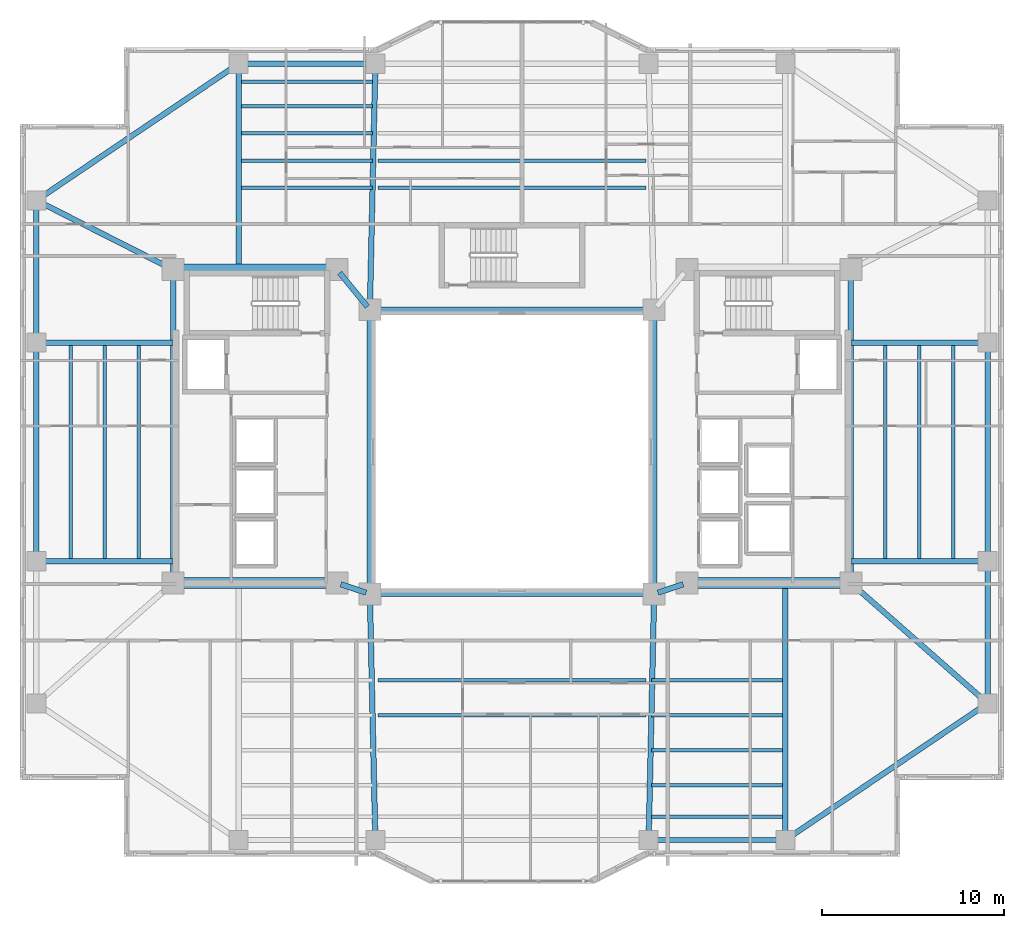
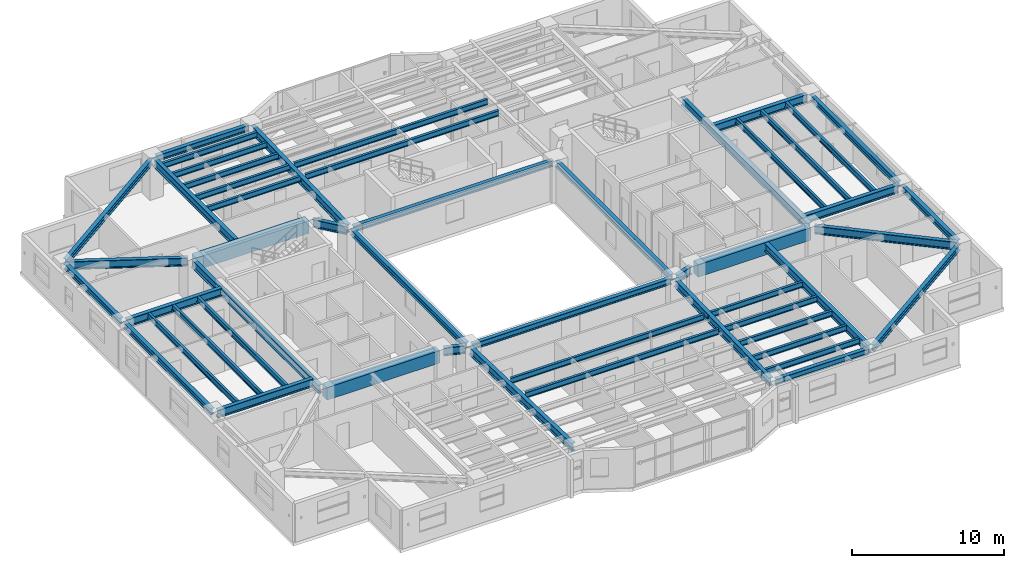
# One storey, part 3 of 18: 51 beams.
"""IFC4 building model written with IfcOpenShell, lengths in metres."""

from ifc_helpers import new_model, si_unit, direction, frame, origin, origin_2d, place, context, subcontext, project, spatial, rectangle, i_section, extrude, material, material_profile, profile_set, type_object, element, save


model = new_model("IFC4")

# Units and contexts
model_context = context("Model", 3, precision=1e-05, world=origin(), true_north=direction((0.0, 1.0)))
body_context = subcontext(model_context, "Body", "Model", "MODEL_VIEW")
ifc_project = project(units=[si_unit("LENGTHUNIT", "METRE"), si_unit("AREAUNIT", "SQUARE_METRE"), si_unit("VOLUMEUNIT", "CUBIC_METRE"), si_unit("PLANEANGLEUNIT", "RADIAN"), si_unit("MASSUNIT", "GRAM", prefix="KILO")], contexts=[model_context])

# Site, building, storey
site_placement = place(None, origin())
site = spatial("IfcSite", under=ifc_project, at=site_placement, CompositionType="ELEMENT")
building_placement = place(site_placement, origin())
building = spatial("IfcBuilding", under=site, at=building_placement, Name="Tarnavaz Court Tower", CompositionType="ELEMENT")
storey_placement = place(building_placement, frame((0.0, 0.0, 91.699951171875)))
storey = spatial("IfcBuildingStorey", under=building, at=storey_placement, Name="L24", CompositionType="ELEMENT", Elevation=91.699951171875)

# Beams
ifc_material_1 = material(Name="Concrete C60/75", Category="concrete")
ifc_material_profile_1 = material_profile(ifc_material_1, rectangle(XDim=0.60009765625, YDim=1.0, at=origin_2d()), Name="RC 600X1000")
ifc_profile_set_1 = profile_set([ifc_material_profile_1], Name="Concrete C60/75")
beam_type_1 = type_object("IfcBeamType", Name="BM-CB1000", PredefinedType="LINTEL", material=ifc_profile_set_1)
for number, where, z_axis, x_axis, name in (
    (1, (-18.3798828125, -7.199951171875, 2.60009765625), (1.0, 0.0, 0.0), (0.0, 1.0, 0.0), "L24 Beam IN-CW-SO-CW-SI"),
    (2, (-18.3798828125, 10.0, 2.60009765625), (1.0, 0.0, 0.0), (0.0, 1.0, 0.0), "L24 Beam IN-CW-NO-CW-NI"),
    (3, (18.3798828125, -7.199951171875, 2.60009765625), (-1.0, 0.0, 0.0), (0.0, -1.0, 0.0), "L24 Beam IN-CE-SO-CE-SI"),
):
    element("IfcBeam", number, at=place(storey_placement, frame(where, z_axis=z_axis, x_axis=x_axis)), inside=storey, type_object=beam_type_1, Name=name, PredefinedType="LINTEL", context=body_context, shape_type="SweptSolid", body=[
        extrude(rectangle(XDim=0.60009765625, YDim=1.0, at=origin_2d()), origin(), (0.0, 0.0, 1.0), 8.559814453125),
    ])
ifc_material_2 = material(Name="Steel S355", Category="steel")
ifc_material_profile_2 = material_profile(ifc_material_2, i_section(OverallWidth=0.300048828125, OverallDepth=0.64990234375, WebThickness=0.01611328125, FlangeThickness=0.031005859375, FilletRadius=0.027099609375, at=origin_2d()), Name="HEB 650")
ifc_profile_set_2 = profile_set([ifc_material_profile_2], Name="Steel S355")
beam_type_2 = type_object("IfcBeamType", Name="BM-G-HEB650", PredefinedType="USERDEFINED", material=ifc_profile_set_2)
for number, where, z_axis, x_axis, name in (
    (4, (-9.391357421875, -7.26953125, 2.775146484375), (0.948666544706, -0.316278021615, 0.0), (0.316278021615, 0.948666544706, 0.0), "L24 Beam IN-CW-SI-IW-SW"),
    (5, (9.391357421875, -7.26953125, 2.775146484375), (-0.948666544706, -0.316278021615, 0.0), (0.316278021615, -0.948666544706, 0.0), "L24 Beam IN-CE-SI-IW-SE"),
):
    element("IfcBeam", number, at=place(storey_placement, frame(where, z_axis=z_axis, x_axis=x_axis)), inside=storey, type_object=beam_type_2, Name=name, ObjectType="GIRDER", PredefinedType="USERDEFINED", context=body_context, shape_type="SweptSolid", body=[
        extrude(i_section(OverallWidth=0.300048828125, OverallDepth=0.64990234375, WebThickness=0.01611328125, FlangeThickness=0.031005859375, FilletRadius=0.027099609375, at=origin_2d()), origin(), (0.0, 0.0, 1.0), 1.457275390625),
    ])
beam_1_placement = place(storey_placement, frame((-9.460693359375, 9.82958984375, 2.775146484375), z_axis=(0.633282058357, -0.773921077735, 0.0), x_axis=(0.773921077735, 0.633282058357, 0.0)))
element("IfcBeam", 6, at=beam_1_placement, inside=storey, type_object=beam_type_2, Name="L24 Beam IN-CW-NI-IW-NW", ObjectType="GIRDER", PredefinedType="USERDEFINED", context=body_context, shape_type="SweptSolid", body=[
    extrude(i_section(OverallWidth=0.300048828125, OverallDepth=0.64990234375, WebThickness=0.01611328125, FlangeThickness=0.031005859375, FilletRadius=0.027099609375, at=origin_2d()), origin(), (0.0, 0.0, 1.0), 2.402587890625),
])
for number, where, z_axis, x_axis, name in (
    (7, (-18.60009765625, -6.97998046875, 2.775146484375), (0.0, 1.0, 0.0), (-1.0, 0.0, 0.0), "L24 Beam IN-CW-SO-CW-NO"),
    (8, (18.60009765625, -6.97998046875, 2.775146484375), (0.0, 1.0, 0.0), (-1.0, 0.0, 0.0), "L24 Beam IN-CE-SO-CE-NO"),
):
    element("IfcBeam", number, at=place(storey_placement, frame(where, z_axis=z_axis, x_axis=x_axis)), inside=storey, type_object=beam_type_2, Name=name, ObjectType="GIRDER", PredefinedType="USERDEFINED", context=body_context, shape_type="SweptSolid", body=[
        extrude(i_section(OverallWidth=0.300048828125, OverallDepth=0.64990234375, WebThickness=0.01611328125, FlangeThickness=0.031005859375, FilletRadius=0.027099609375, at=origin_2d()), origin(), (0.0, 0.0, 1.0), 16.760009765625),
    ])
beam_2_placement = place(storey_placement, frame((-15.0, 10.0400390625, 2.775146484375), z_axis=(0.0, 1.0, 0.0), x_axis=(-1.0, 0.0, 0.0)))
element("IfcBeam", 9, at=beam_2_placement, inside=storey, type_object=beam_type_2, Name="L24 Beam RG-01", ObjectType="GIRDER", PredefinedType="USERDEFINED", context=body_context, shape_type="SweptSolid", body=[
    extrude(i_section(OverallWidth=0.300048828125, OverallDepth=0.64990234375, WebThickness=0.01611328125, FlangeThickness=0.031005859375, FilletRadius=0.027099609375, at=origin_2d()), origin(), (0.0, 0.0, 1.0), 11.0400390625),
])
for number, where, z_axis, x_axis, name in (
    (10, (-7.795166015625, 8.02001953125, 2.775146484375), (0.022221303469, 0.99975307635, 0.0), (-0.99975307635, 0.022221303469, 0.0), "L24 Beam RG-02"),
    (11, (-7.795166015625, -8.02001953125, 2.775146484375), (0.022221303469, -0.99975307635, 0.0), (0.99975307635, 0.022221303469, 0.0), "L24 Beam RG-06"),
    (12, (7.795166015625, -8.02001953125, 2.775146484375), (-0.022221303469, -0.99975307635, 0.0), (0.99975307635, -0.022221303469, 0.0), "L24 Beam RG-07"),
):
    element("IfcBeam", number, at=place(storey_placement, frame(where, z_axis=z_axis, x_axis=x_axis)), inside=storey, type_object=beam_type_2, Name=name, ObjectType="GIRDER", PredefinedType="USERDEFINED", context=body_context, shape_type="SweptSolid", body=[
        extrude(i_section(OverallWidth=0.300048828125, OverallDepth=0.64990234375, WebThickness=0.01611328125, FlangeThickness=0.031005859375, FilletRadius=0.027099609375, at=origin_2d()), origin(), (0.0, 0.0, 1.0), 13.063232421875),
    ])
beam_3_placement = place(storey_placement, frame((15.0, -7.239990234375, 2.775146484375), z_axis=(0.0, -1.0, 0.0), x_axis=(1.0, 0.0, 0.0)))
element("IfcBeam", 13, at=beam_3_placement, inside=storey, type_object=beam_type_2, Name="L24 Beam RG-08", ObjectType="GIRDER", PredefinedType="USERDEFINED", context=body_context, shape_type="SweptSolid", body=[
    extrude(i_section(OverallWidth=0.300048828125, OverallDepth=0.64990234375, WebThickness=0.01611328125, FlangeThickness=0.031005859375, FilletRadius=0.027099609375, at=origin_2d()), origin(), (0.0, 0.0, 1.0), 13.840087890625),
])
for number, where, z_axis, x_axis, name in (
    (14, (18.639892578125, -6.0, 2.775146484375), (1.0, 0.0, 0.0), (0.0, 1.0, 0.0), "L24 Beam RG-09"),
    (15, (18.639892578125, 6.0, 2.775146484375), (1.0, 0.0, 0.0), (0.0, 1.0, 0.0), "L24 Beam RG-10"),
):
    element("IfcBeam", number, at=place(storey_placement, frame(where, z_axis=z_axis, x_axis=x_axis)), inside=storey, type_object=beam_type_2, Name=name, ObjectType="GIRDER", PredefinedType="USERDEFINED", context=body_context, shape_type="SweptSolid", body=[
        extrude(i_section(OverallWidth=0.300048828125, OverallDepth=0.64990234375, WebThickness=0.01611328125, FlangeThickness=0.031005859375, FilletRadius=0.027099609375, at=origin_2d()), origin(), (0.0, 0.0, 1.0), 7.239990234375),
    ])
beam_4_placement = place(storey_placement, frame((18.76513671875, -7.34521484375, 2.775146484375), z_axis=(0.750700332035, -0.660642877417, 0.0), x_axis=(0.660642877417, 0.750700332035, 0.0)))
element("IfcBeam", 16, at=beam_4_placement, inside=storey, type_object=beam_type_2, Name="L24 Beam RG-11", ObjectType="GIRDER", PredefinedType="USERDEFINED", context=body_context, shape_type="SweptSolid", body=[
    extrude(i_section(OverallWidth=0.300048828125, OverallDepth=0.64990234375, WebThickness=0.01611328125, FlangeThickness=0.031005859375, FilletRadius=0.027099609375, at=origin_2d()), origin(), (0.0, 0.0, 1.0), 9.550537109375),
])
for number, where, z_axis, x_axis, name in (
    (17, (-18.639892578125, -6.0, 2.775146484375), (-1.0, 0.0, 0.0), (0.0, -1.0, 0.0), "L24 Beam RG-13"),
    (18, (-18.639892578125, 6.0, 2.775146484375), (-1.0, 0.0, 0.0), (0.0, -1.0, 0.0), "L24 Beam RG-14"),
):
    element("IfcBeam", number, at=place(storey_placement, frame(where, z_axis=z_axis, x_axis=x_axis)), inside=storey, type_object=beam_type_2, Name=name, ObjectType="GIRDER", PredefinedType="USERDEFINED", context=body_context, shape_type="SweptSolid", body=[
        extrude(i_section(OverallWidth=0.300048828125, OverallDepth=0.64990234375, WebThickness=0.01611328125, FlangeThickness=0.031005859375, FilletRadius=0.027099609375, at=origin_2d()), origin(), (0.0, 0.0, 1.0), 7.239990234375),
    ])
beam_5_placement = place(storey_placement, frame((-18.796142578125, 10.099365234375, 2.775146484375), z_axis=(-0.892030669981, 0.451974870776, 0.0), x_axis=(-0.451974870776, -0.892030669981, 0.0)))
element("IfcBeam", 19, at=beam_5_placement, inside=storey, type_object=beam_type_2, Name="L24 Beam RG-16", ObjectType="GIRDER", PredefinedType="USERDEFINED", context=body_context, shape_type="SweptSolid", body=[
    extrude(i_section(OverallWidth=0.300048828125, OverallDepth=0.64990234375, WebThickness=0.01611328125, FlangeThickness=0.031005859375, FilletRadius=0.027099609375, at=origin_2d()), origin(), (0.0, 0.0, 1.0), 7.968017578125),
])
ifc_material_profile_3 = material_profile(ifc_material_2, i_section(OverallWidth=0.18994140625, OverallDepth=0.449951171875, WebThickness=0.009521484375, FlangeThickness=0.0146484375, FilletRadius=0.02099609375, at=origin_2d()), Name="IPE 450")
ifc_profile_set_3 = profile_set([ifc_material_profile_3], Name="Steel S355")
beam_type_3 = type_object("IfcBeamType", Name="BM-J-IPE450", PredefinedType="JOIST", material=ifc_profile_set_3)
beam_6_placement = place(storey_placement, frame((-14.85009765625, 14.493896484375, 2.875), z_axis=(1.0, 0.0, 0.0), x_axis=(0.0, 1.0, 0.0)))
element("IfcBeam", 20, at=beam_6_placement, inside=storey, type_object=beam_type_3, Name="L24 Beam JN1-1", PredefinedType="JOIST", context=body_context, shape_type="SweptSolid", body=[
    extrude(i_section(OverallWidth=0.18994140625, OverallDepth=0.449951171875, WebThickness=0.009521484375, FlangeThickness=0.0146484375, FilletRadius=0.02099609375, at=origin_2d()), origin(), (0.0, 0.0, 1.0), 7.2001953125),
])
for number, where, z_axis, x_axis, name in (
    (21, (-7.35009765625, 14.493896484375, 2.875), (1.0, 0.0, 0.0), (0.0, 1.0, 0.0), "L24 Beam JN1-2"),
    (22, (-7.35009765625, -12.52587890625, 2.875), (1.0, 0.0, 0.0), (0.0, 1.0, 0.0), "L24 Beam JS1-2"),
):
    element("IfcBeam", number, at=place(storey_placement, frame(where, z_axis=z_axis, x_axis=x_axis)), inside=storey, type_object=beam_type_3, Name=name, PredefinedType="JOIST", context=body_context, shape_type="SweptSolid", body=[
        extrude(i_section(OverallWidth=0.18994140625, OverallDepth=0.449951171875, WebThickness=0.009521484375, FlangeThickness=0.0146484375, FilletRadius=0.02099609375, at=origin_2d()), origin(), (0.0, 0.0, 1.0), 14.7001953125),
    ])
for number, where, z_axis, x_axis, name in (
    (23, (7.64990234375, -12.52587890625, 2.875), (1.0, 0.0, 0.0), (0.0, 1.0, 0.0), "L24 Beam JS1-3"),
    (24, (-14.85009765625, 15.988037109375, 2.875), (1.0, 0.0, 0.0), (0.0, 1.0, 0.0), "L24 Beam JN2-1"),
):
    element("IfcBeam", number, at=place(storey_placement, frame(where, z_axis=z_axis, x_axis=x_axis)), inside=storey, type_object=beam_type_3, Name=name, PredefinedType="JOIST", context=body_context, shape_type="SweptSolid", body=[
        extrude(i_section(OverallWidth=0.18994140625, OverallDepth=0.449951171875, WebThickness=0.009521484375, FlangeThickness=0.0146484375, FilletRadius=0.02099609375, at=origin_2d()), origin(), (0.0, 0.0, 1.0), 7.2001953125),
    ])
for number, where, z_axis, x_axis, name in (
    (25, (-7.35009765625, 15.988037109375, 2.875), (1.0, 0.0, 0.0), (0.0, 1.0, 0.0), "L24 Beam JN2-2"),
    (26, (-7.35009765625, -14.451904296875, 2.875), (1.0, 0.0, 0.0), (0.0, 1.0, 0.0), "L24 Beam JS2-2"),
):
    element("IfcBeam", number, at=place(storey_placement, frame(where, z_axis=z_axis, x_axis=x_axis)), inside=storey, type_object=beam_type_3, Name=name, PredefinedType="JOIST", context=body_context, shape_type="SweptSolid", body=[
        extrude(i_section(OverallWidth=0.18994140625, OverallDepth=0.449951171875, WebThickness=0.009521484375, FlangeThickness=0.0146484375, FilletRadius=0.02099609375, at=origin_2d()), origin(), (0.0, 0.0, 1.0), 14.7001953125),
    ])
for number, where, z_axis, x_axis, name in (
    (27, (7.64990234375, -14.451904296875, 2.875), (1.0, 0.0, 0.0), (0.0, 1.0, 0.0), "L24 Beam JS2-3"),
    (28, (-14.85009765625, 17.48193359375, 2.875), (1.0, 0.0, 0.0), (0.0, 1.0, 0.0), "L24 Beam JN3-1"),
    (29, (7.64990234375, -16.3779296875, 2.875), (1.0, 0.0, 0.0), (0.0, 1.0, 0.0), "L24 Beam JS3-3"),
    (30, (-14.85009765625, 18.97607421875, 2.875), (1.0, 0.0, 0.0), (0.0, 1.0, 0.0), "L24 Beam JN4-1"),
    (31, (7.64990234375, -18.303955078125, 2.875), (1.0, 0.0, 0.0), (0.0, 1.0, 0.0), "L24 Beam JS4-3"),
    (32, (-14.85009765625, 20.303955078125, 2.875), (1.0, 0.0, 0.0), (0.0, 1.0, 0.0), "L24 Beam JN5-1"),
    (33, (7.64990234375, -20.01611328125, 2.875), (1.0, 0.0, 0.0), (0.0, 1.0, 0.0), "L24 Beam JS5-3"),
):
    element("IfcBeam", number, at=place(storey_placement, frame(where, z_axis=z_axis, x_axis=x_axis)), inside=storey, type_object=beam_type_3, Name=name, PredefinedType="JOIST", context=body_context, shape_type="SweptSolid", body=[
        extrude(i_section(OverallWidth=0.18994140625, OverallDepth=0.449951171875, WebThickness=0.009521484375, FlangeThickness=0.0146484375, FilletRadius=0.02099609375, at=origin_2d()), origin(), (0.0, 0.0, 1.0), 7.2001953125),
    ])
for number, where, z_axis, x_axis, name in (
    (34, (20.47509765625, -5.9599609375, 2.875), (0.0, 1.0, 0.0), (-1.0, 0.0, 0.0), "L24 Beam JE1"),
    (35, (-20.47509765625, -5.9599609375, 2.875), (0.0, 1.0, 0.0), (-1.0, 0.0, 0.0), "L24 Beam JW1"),
    (36, (22.35009765625, -5.9599609375, 2.875), (0.0, 1.0, 0.0), (-1.0, 0.0, 0.0), "L24 Beam JE2"),
    (37, (-22.35009765625, -5.9599609375, 2.875), (0.0, 1.0, 0.0), (-1.0, 0.0, 0.0), "L24 Beam JW2"),
    (38, (24.22509765625, -5.9599609375, 2.875), (0.0, 1.0, 0.0), (-1.0, 0.0, 0.0), "L24 Beam JE3"),
    (39, (-24.22509765625, -5.9599609375, 2.875), (0.0, 1.0, 0.0), (-1.0, 0.0, 0.0), "L24 Beam JW3"),
):
    element("IfcBeam", number, at=place(storey_placement, frame(where, z_axis=z_axis, x_axis=x_axis)), inside=storey, type_object=beam_type_3, Name=name, PredefinedType="JOIST", context=body_context, shape_type="SweptSolid", body=[
        extrude(i_section(OverallWidth=0.18994140625, OverallDepth=0.449951171875, WebThickness=0.009521484375, FlangeThickness=0.0146484375, FilletRadius=0.02099609375, at=origin_2d()), origin(), (0.0, 0.0, 1.0), 11.919921875),
    ])
ifc_material_profile_4 = material_profile(ifc_material_2, i_section(OverallWidth=0.300048828125, OverallDepth=0.489990234375, WebThickness=0.011962890625, FlangeThickness=0.02294921875, FilletRadius=0.027099609375, at=origin_2d()), Name="HEA 500")
ifc_profile_set_4 = profile_set([ifc_material_profile_4], Name="Steel S355")
beam_type_4 = type_object("IfcBeamType", Name="BM-SP-HEA500", PredefinedType="SPANDREL", material=ifc_profile_set_4)
for number, where, z_axis, x_axis, name in (
    (40, (-7.580078125, -7.800048828125, 2.85498046875), (1.0, 0.0, 0.0), (0.0, 1.0, 0.0), "L24 Beam IN-IW-SW-IW-SE"),
    (41, (-7.580078125, 7.800048828125, 2.85498046875), (1.0, 0.0, 0.0), (0.0, 1.0, 0.0), "L24 Beam IN-IW-NW-IW-NE"),
    (42, (-7.800048828125, -7.580078125, 2.85498046875), (0.0, 1.0, 0.0), (-1.0, 0.0, 0.0), "L24 Beam IN-IW-SW-IW-NW"),
    (43, (7.800048828125, -7.580078125, 2.85498046875), (0.0, 1.0, 0.0), (-1.0, 0.0, 0.0), "L24 Beam IN-IW-SE-IW-NE"),
):
    element("IfcBeam", number, at=place(storey_placement, frame(where, z_axis=z_axis, x_axis=x_axis)), inside=storey, type_object=beam_type_4, Name=name, PredefinedType="SPANDREL", context=body_context, shape_type="SweptSolid", body=[
        extrude(i_section(OverallWidth=0.300048828125, OverallDepth=0.489990234375, WebThickness=0.011962890625, FlangeThickness=0.02294921875, FilletRadius=0.027099609375, at=origin_2d()), origin(), (0.0, 0.0, 1.0), 15.16015625),
    ])
for number, where, z_axis, x_axis, name in (
    (44, (-14.780029296875, 21.300048828125, 2.85498046875), (1.0, 0.0, 0.0), (0.0, 1.0, 0.0), "L24 Beam PR-PN-1-PN-2"),
    (45, (7.719970703125, -21.300048828125, 2.85498046875), (1.0, 0.0, 0.0), (0.0, 1.0, 0.0), "L24 Beam PR-PS-3-PS-4"),
):
    element("IfcBeam", number, at=place(storey_placement, frame(where, z_axis=z_axis, x_axis=x_axis)), inside=storey, type_object=beam_type_4, Name=name, PredefinedType="SPANDREL", context=body_context, shape_type="SweptSolid", body=[
        extrude(i_section(OverallWidth=0.300048828125, OverallDepth=0.489990234375, WebThickness=0.011962890625, FlangeThickness=0.02294921875, FilletRadius=0.027099609375, at=origin_2d()), origin(), (0.0, 0.0, 1.0), 7.06005859375),
    ])
beam_7_placement = place(storey_placement, frame((26.10009765625, -13.580078125, 2.85498046875), z_axis=(0.0, 1.0, 0.0), x_axis=(-1.0, 0.0, 0.0)))
element("IfcBeam", 46, at=beam_7_placement, inside=storey, type_object=beam_type_4, Name="L24 Beam PR-PE-1-PE-2", PredefinedType="SPANDREL", context=body_context, shape_type="SweptSolid", body=[
    extrude(i_section(OverallWidth=0.300048828125, OverallDepth=0.489990234375, WebThickness=0.011962890625, FlangeThickness=0.02294921875, FilletRadius=0.027099609375, at=origin_2d()), origin(), (0.0, 0.0, 1.0), 7.360107421875),
])
for number, where, z_axis, x_axis, name in (
    (47, (26.10009765625, -5.780029296875, 2.85498046875), (0.0, 1.0, 0.0), (-1.0, 0.0, 0.0), "L24 Beam PR-PE-2-PE-3"),
    (48, (-26.10009765625, -5.780029296875, 2.85498046875), (0.0, 1.0, 0.0), (-1.0, 0.0, 0.0), "L24 Beam PR-PW-2-PW-3"),
):
    element("IfcBeam", number, at=place(storey_placement, frame(where, z_axis=z_axis, x_axis=x_axis)), inside=storey, type_object=beam_type_4, Name=name, PredefinedType="SPANDREL", context=body_context, shape_type="SweptSolid", body=[
        extrude(i_section(OverallWidth=0.300048828125, OverallDepth=0.489990234375, WebThickness=0.011962890625, FlangeThickness=0.02294921875, FilletRadius=0.027099609375, at=origin_2d()), origin(), (0.0, 0.0, 1.0), 11.56005859375),
    ])
beam_8_placement = place(storey_placement, frame((-26.10009765625, 6.219970703125, 2.85498046875), z_axis=(0.0, 1.0, 0.0), x_axis=(-1.0, 0.0, 0.0)))
element("IfcBeam", 49, at=beam_8_placement, inside=storey, type_object=beam_type_4, Name="L24 Beam PR-PW-3-PW-4", PredefinedType="SPANDREL", context=body_context, shape_type="SweptSolid", body=[
    extrude(i_section(OverallWidth=0.300048828125, OverallDepth=0.489990234375, WebThickness=0.011962890625, FlangeThickness=0.02294921875, FilletRadius=0.027099609375, at=origin_2d()), origin(), (0.0, 0.0, 1.0), 7.360107421875),
])
for number, where, z_axis, x_axis, name in (
    (50, (25.917724609375, -13.923095703125, 2.85498046875), (-0.828587314918, -0.559859858854, 0.0), (0.559859858854, -0.828587314918, 0.0), "L24 Beam PR-PE-1-PS-4"),
    (51, (-25.917724609375, 13.923095703125, 2.85498046875), (0.828587314918, 0.559859858854, 0.0), (-0.559859858854, 0.828587314918, 0.0), "L24 Beam PR-PW-4-PN-1"),
):
    element("IfcBeam", number, at=place(storey_placement, frame(where, z_axis=z_axis, x_axis=x_axis)), inside=storey, type_object=beam_type_4, Name=name, PredefinedType="SPANDREL", context=body_context, shape_type="SweptSolid", body=[
        extrude(i_section(OverallWidth=0.300048828125, OverallDepth=0.489990234375, WebThickness=0.011962890625, FlangeThickness=0.02294921875, FilletRadius=0.027099609375, at=origin_2d()), origin(), (0.0, 0.0, 1.0), 12.956298828125),
    ])

save(model, "model.ifc")
